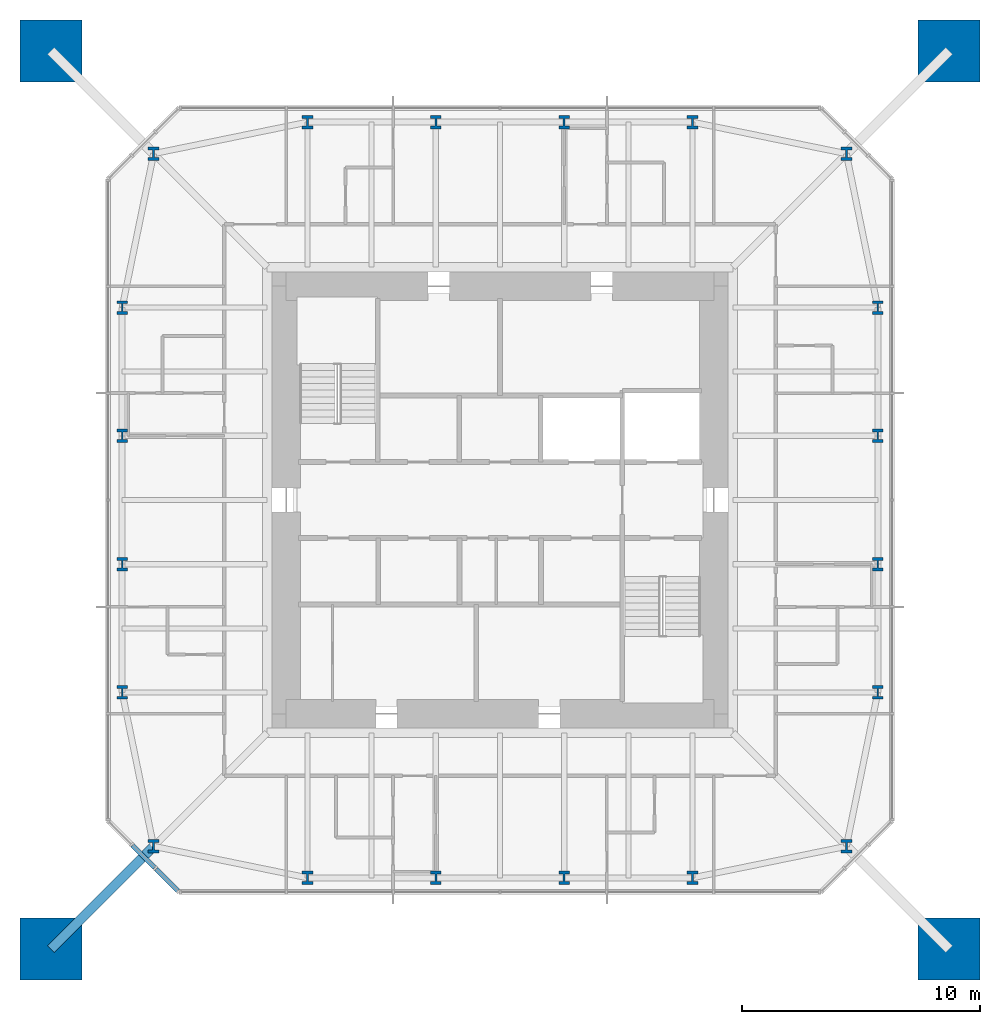
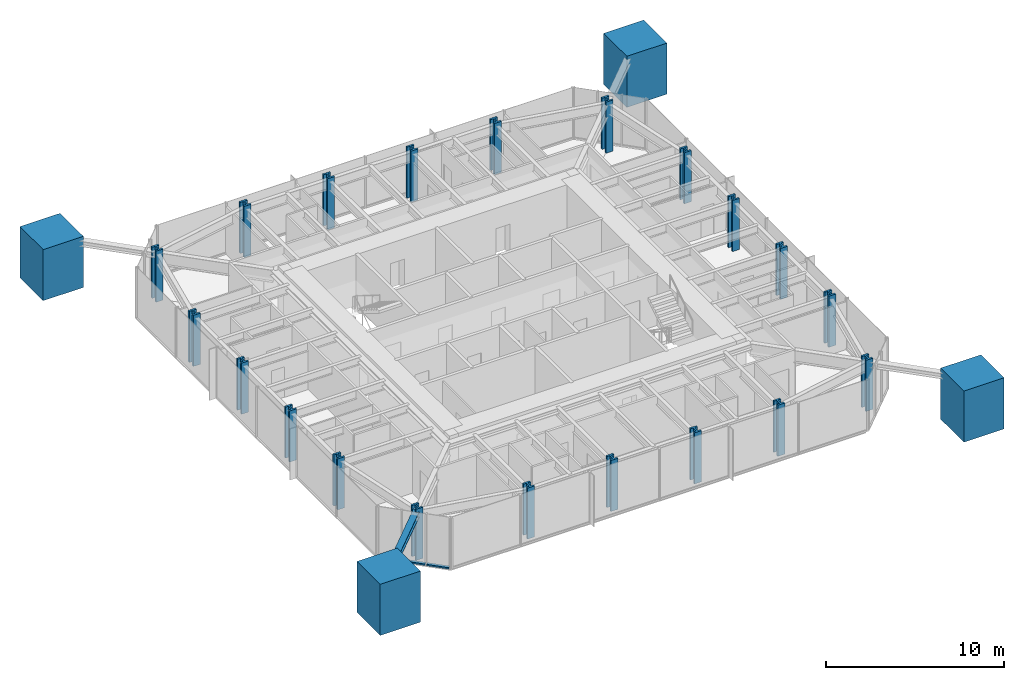
# One storey, part 1 of 9: 24 columns, 3 members, 1 element without a shape of its own.
"""IFC4 building model written with IfcOpenShell, lengths in metres."""

from ifc_helpers import new_model, si_unit, direction, frame, origin, origin_2d, place, context, subcontext, project, spatial, rectangle, i_section, extrude, material, material_profile, profile_set, type_object, element, aggregate, save


model = new_model("IFC4")

# Units and contexts
model_context = context("Model", 3, precision=1e-05, world=origin(), true_north=direction((0.0, 1.0)))
body_context = subcontext(model_context, "Body", "Model", "MODEL_VIEW")
ifc_project = project(units=[si_unit("LENGTHUNIT", "METRE"), si_unit("AREAUNIT", "SQUARE_METRE"), si_unit("VOLUMEUNIT", "CUBIC_METRE"), si_unit("PLANEANGLEUNIT", "RADIAN"), si_unit("MASSUNIT", "GRAM", prefix="KILO")], contexts=[model_context])

# Site, building, storey
site_placement = place(None, origin())
site = spatial("IfcSite", under=ifc_project, at=site_placement, CompositionType="ELEMENT")
building_placement = place(site_placement, origin())
building = spatial("IfcBuilding", under=site, at=building_placement, Name="Iwan Alto Co-Living Towers", CompositionType="ELEMENT")
storey_placement = place(building_placement, frame((0.0, 0.0, 239.5)))
storey = spatial("IfcBuildingStorey", under=building, at=storey_placement, Name="L65", CompositionType="ELEMENT", Elevation=239.5)

# Columns
ifc_material_1 = material(Name="Concrete f'c 70 MPa", Category="concrete")
ifc_material_profile_1 = material_profile(ifc_material_1, rectangle(XDim=2.60009765625, YDim=2.60009765625, at=origin_2d()), Name="RC 2600X2600")
ifc_profile_set_1 = profile_set([ifc_material_profile_1], Name="Concrete f'c 70 MPa")
column_type_1 = type_object("IfcColumnType", Name="T1 MEGA COLUMN RC 2600X2600", PredefinedType="COLUMN", material=ifc_profile_set_1)
for number, where, z_axis, x_axis, name in (
    (1, (-18.89990234375, -18.89990234375, 0.0), (0.0, 0.0, 1.0), (1.0, 0.0, 0.0), "T1 mega column SW L65"),
    (2, (18.89990234375, -18.89990234375, 0.0), (0.0, 0.0, 1.0), (1.0, 0.0, 0.0), "T1 mega column SE L65"),
    (3, (18.89990234375, 18.89990234375, 0.0), (0.0, 0.0, 1.0), (1.0, 0.0, 0.0), "T1 mega column NE L65"),
    (4, (-18.89990234375, 18.89990234375, 0.0), (0.0, 0.0, 1.0), (1.0, 0.0, 0.0), "T1 mega column NW L65"),
):
    element("IfcColumn", number, at=place(storey_placement, frame(where, z_axis=z_axis, x_axis=x_axis)), inside=storey, type_object=column_type_1, Name=name, PredefinedType="COLUMN", context=body_context, shape_type="SweptSolid", body=[
        extrude(rectangle(XDim=2.60009765625, YDim=2.60009765625, at=origin_2d()), origin(), (0.0, 0.0, 1.0), 3.5),
        extrude(i_section(OverallWidth=0.4775390625, OverallDepth=0.599365234375, WebThickness=0.10009765625, FlangeThickness=0.139892578125, at=origin_2d()), origin(), (0.0, 0.0, 1.0), 3.5),
    ])
ifc_material_2 = material(Name="Steel ASTM A992 Gr 50", Category="steel")
ifc_material_profile_2 = material_profile(ifc_material_2, i_section(OverallWidth=0.45458984375, OverallDepth=0.56884765625, WebThickness=0.077880859375, FlangeThickness=0.124755859375, at=origin_2d()), Name="W14X730")
ifc_profile_set_2 = profile_set([ifc_material_profile_2], Name="Steel ASTM A992 Gr 50")
column_type_2 = type_object("IfcColumnType", Name="T1 RING COLUMN W14X730", PredefinedType="COLUMN", material=ifc_profile_set_2)
for number, where, z_axis, x_axis, name in (
    (5, (-14.57568359375, -14.57568359375, 0.0), (0.0, 0.0, 1.0), (1.0, 0.0, 0.0), "T1 ring column CSW L65"),
    (6, (-8.10009765625, -15.89990234375, 0.0), (0.0, 0.0, 1.0), (1.0, 0.0, 0.0), "T1 ring column S1 L65"),
    (7, (-2.699951171875, -15.89990234375, 0.0), (0.0, 0.0, 1.0), (1.0, 0.0, 0.0), "T1 ring column S2 L65"),
    (8, (2.699951171875, -15.89990234375, 0.0), (0.0, 0.0, 1.0), (1.0, 0.0, 0.0), "T1 ring column S3 L65"),
    (9, (8.10009765625, -15.89990234375, 0.0), (0.0, 0.0, 1.0), (1.0, 0.0, 0.0), "T1 ring column S4 L65"),
    (10, (14.57568359375, -14.57568359375, 0.0), (0.0, 0.0, 1.0), (1.0, 0.0, 0.0), "T1 ring column CSE L65"),
    (11, (15.89990234375, -8.10009765625, 0.0), (0.0, 0.0, 1.0), (1.0, 0.0, 0.0), "T1 ring column E1 L65"),
    (12, (15.89990234375, -2.699951171875, 0.0), (0.0, 0.0, 1.0), (1.0, 0.0, 0.0), "T1 ring column E2 L65"),
    (13, (15.89990234375, 2.699951171875, 0.0), (0.0, 0.0, 1.0), (1.0, 0.0, 0.0), "T1 ring column E3 L65"),
    (14, (15.89990234375, 8.10009765625, 0.0), (0.0, 0.0, 1.0), (1.0, 0.0, 0.0), "T1 ring column E4 L65"),
    (15, (14.57568359375, 14.57568359375, 0.0), (0.0, 0.0, 1.0), (1.0, 0.0, 0.0), "T1 ring column CNE L65"),
    (16, (8.10009765625, 15.89990234375, 0.0), (0.0, 0.0, 1.0), (1.0, 0.0, 0.0), "T1 ring column N1 L65"),
    (17, (2.699951171875, 15.89990234375, 0.0), (0.0, 0.0, 1.0), (1.0, 0.0, 0.0), "T1 ring column N2 L65"),
    (18, (-2.699951171875, 15.89990234375, 0.0), (0.0, 0.0, 1.0), (1.0, 0.0, 0.0), "T1 ring column N3 L65"),
    (19, (-8.10009765625, 15.89990234375, 0.0), (0.0, 0.0, 1.0), (1.0, 0.0, 0.0), "T1 ring column N4 L65"),
    (20, (-14.57568359375, 14.57568359375, 0.0), (0.0, 0.0, 1.0), (1.0, 0.0, 0.0), "T1 ring column CNW L65"),
    (21, (-15.89990234375, 8.10009765625, 0.0), (0.0, 0.0, 1.0), (1.0, 0.0, 0.0), "T1 ring column W1 L65"),
    (22, (-15.89990234375, 2.699951171875, 0.0), (0.0, 0.0, 1.0), (1.0, 0.0, 0.0), "T1 ring column W2 L65"),
    (23, (-15.89990234375, -2.699951171875, 0.0), (0.0, 0.0, 1.0), (1.0, 0.0, 0.0), "T1 ring column W3 L65"),
    (24, (-15.89990234375, -8.10009765625, 0.0), (0.0, 0.0, 1.0), (1.0, 0.0, 0.0), "T1 ring column W4 L65"),
):
    element("IfcColumn", number, at=place(storey_placement, frame(where, z_axis=z_axis, x_axis=x_axis)), inside=storey, type_object=column_type_2, Name=name, PredefinedType="COLUMN", context=body_context, shape_type="SweptSolid", body=[
        extrude(i_section(OverallWidth=0.45458984375, OverallDepth=0.56884765625, WebThickness=0.077880859375, FlangeThickness=0.124755859375, at=origin_2d()), origin(), (0.0, 0.0, 1.0), 3.5),
    ])

# Curtain wall, members
ifc_material_3 = material(Name="Bronze aluminium unitised frame", Category="aluminium")
curtain_wall_type = type_object("IfcCurtainWallType", Name="CURTAIN WALL CW-B", PredefinedType="NOTDEFINED", material=ifc_material_3)
curtain_wall_placement = place(storey_placement, origin())
curtain_wall = element("IfcCurtainWall", 25, at=curtain_wall_placement, inside=storey, type_object=curtain_wall_type, Name="T1 chamfer curtain wall SW L65", PredefinedType="NOTDEFINED")
ifc_material_4 = material(Name="Aluminium 6063-T6 bronze anodised", Category="aluminium")
ifc_material_profile_3 = material_profile(ifc_material_4, rectangle(XDim=0.199951171875, YDim=0.10009765625, at=origin_2d()), Name="AL 200X100")
ifc_profile_set_3 = profile_set([ifc_material_profile_3], Name="Aluminium 6063-T6 bronze anodised")
member_type_1 = type_object("IfcMemberType", Name="CW-B TRANSOM 200X100", PredefinedType="USERDEFINED", material=ifc_profile_set_3)
member_1_placement = place(storey_placement, frame((-15.4716796875, -14.5283203125, 0.050048828125), z_axis=(0.707106781187, -0.707106781187, 0.0), x_axis=(0.707106781187, 0.707106781187, 0.0)))
member_1 = element("IfcMember", 26, at=member_1_placement, type_object=member_type_1, Name="CW-B transom 2.1", ObjectType="TRANSOM", PredefinedType="USERDEFINED", context=body_context, shape_type="SweptSolid", body=[
    extrude(rectangle(XDim=0.199951171875, YDim=0.10009765625, at=origin_2d()), origin(), (0.0, 0.0, 1.0), 1.334228515625),
])
member_2_placement = place(storey_placement, frame((-14.4716796875, -15.5283203125, 0.050048828125), z_axis=(0.707106781187, -0.707106781187, 0.0), x_axis=(0.707106781187, 0.707106781187, 0.0)))
member_2 = element("IfcMember", 27, at=member_2_placement, type_object=member_type_1, Name="CW-B transom 3.1", ObjectType="TRANSOM", PredefinedType="USERDEFINED", context=body_context, shape_type="SweptSolid", body=[
    extrude(rectangle(XDim=0.199951171875, YDim=0.10009765625, at=origin_2d()), origin(), (0.0, 0.0, 1.0), 1.2939453125),
])
aggregate(curtain_wall, [member_1, member_2])

# Member
ifc_material_5 = material(Name="Steel ASTM A992 Gr 50", Category="steel")
ifc_material_profile_4 = material_profile(ifc_material_5, i_section(OverallWidth=0.393798828125, OverallDepth=0.3759765625, WebThickness=0.017333984375, FlangeThickness=0.027587890625, at=origin_2d()), Name="W14X145")
ifc_profile_set_4 = profile_set([ifc_material_profile_4], Name="Steel ASTM A992 Gr 50")
member_type_2 = type_object("IfcMemberType", Name="T1 MEGA COLUMN FLOOR TIE W14X145", PredefinedType="STRUT", material=ifc_profile_set_4)
member_3_placement = place(storey_placement, frame((-18.89990234375, -18.89990234375, 3.08203125), z_axis=(0.707106781187, 0.707106781187, 0.0), x_axis=(-0.707106781187, 0.707106781187, 0.0)))
element("IfcMember", 28, at=member_3_placement, inside=storey, type_object=member_type_2, Name="T1 mega column floor tie SW L66", PredefinedType="STRUT", context=body_context, shape_type="SweptSolid", body=[
    extrude(i_section(OverallWidth=0.393798828125, OverallDepth=0.3759765625, WebThickness=0.017333984375, FlangeThickness=0.027587890625, at=origin_2d()), origin(), (0.0, 0.0, 1.0), 6.115478515625),
])

save(model, "model.ifc")
